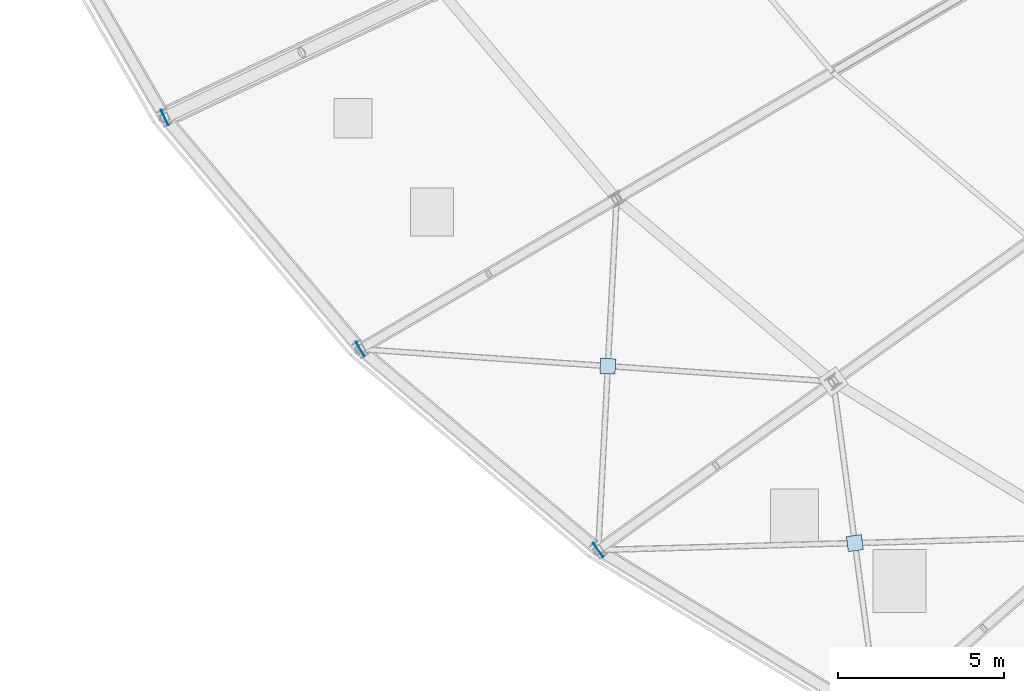
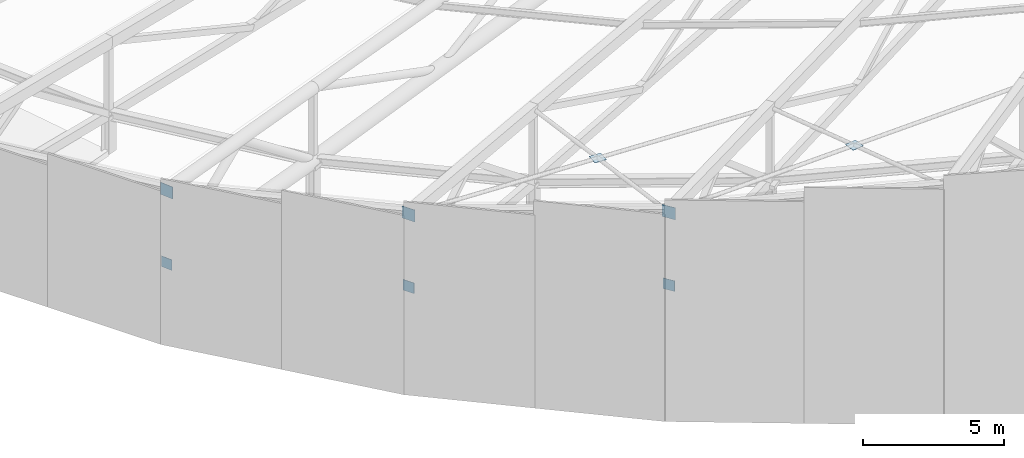
# One storey, part 107 of 143: 8 plates.
"""IFC4 building model written with IfcOpenShell, lengths in metres."""

import ifcopenshell
import ifcopenshell.guid

model = None  # the IFC model being written
_history = None  # IfcOwnerHistory: only IFC2X3 demands one
_inside = {}  # id of a spatial element -> (the spatial element, [elements in it])
_under = {}  # id of a project, library or spatial element -> (it, [spatial elements below it])
_declared = {}  # id of a project -> (the project, [libraries it declares])
_typed = {}  # id of a type object -> (the type object, [elements of that type])
_made_of = {}  # id of a material, layer set ... -> (it, [elements and type objects made of it])


def new_model(schema):
    """Start an empty IFC model of exactly this schema.

    Asked for "IFC4X3", IfcOpenShell would pick the latest addendum, in which some entities
    have other attributes; the version numbers below select the first issue.
    IFC2X3 requires an IfcOwnerHistory on every rooted entity: one is made here for all.
    """
    global model, _history
    if schema == "IFC4X3":
        model = ifcopenshell.file(schema_version=(4, 3, 0, 0))
    else:
        model = ifcopenshell.file(schema=schema)
    _inside.clear()
    _under.clear()
    _declared.clear()
    _typed.clear()
    _made_of.clear()
    _history = None
    if model.schema == "IFC2X3":
        org = make("IfcOrganization", Name="unknown")
        user = make(
            "IfcPersonAndOrganization",
            ThePerson=make("IfcPerson", FamilyName="unknown"),
            TheOrganization=org,
        )
        app = make(
            "IfcApplication",
            ApplicationDeveloper=org,
            Version="unknown",
            ApplicationFullName="unknown",
            ApplicationIdentifier="unknown",
        )
        _history = make(
            "IfcOwnerHistory",
            OwningUser=user,
            OwningApplication=app,
            ChangeAction="ADDED",
            CreationDate=0,
        )
    return model


def make(cls, **values):
    """One entity of the class cls with the attributes given. An attribute that is None is left unset."""
    return model.create_entity(
        cls, **{name: value for name, value in values.items() if value is not None}
    )


def rooted(cls, **values):
    """An entity with a GlobalId (a new one), such as an element, a storey or a relation."""
    return make(cls, GlobalId=ifcopenshell.guid.new(), OwnerHistory=_history, **values)


def si_unit(unit_type, name, prefix=None):
    """IfcSIUnit, for example si_unit("LENGTHUNIT", "METRE", prefix="MILLI")."""
    return make("IfcSIUnit", UnitType=unit_type, Prefix=prefix, Name=name)


def assignment(units):
    """IfcUnitAssignment: the units of a project."""
    return None if units is None else make("IfcUnitAssignment", Units=units)


def point(xyz):
    """IfcCartesianPoint."""
    return None if xyz is None else make("IfcCartesianPoint", Coordinates=xyz)


def direction(xyz):
    """IfcDirection."""
    return None if xyz is None else make("IfcDirection", DirectionRatios=xyz)


def frame(location, z_axis=None, x_axis=None):
    """IfcAxis2Placement3D, a coordinate frame: its origin and axes. An axis left out is left unset."""
    return make(
        "IfcAxis2Placement3D",
        Location=point(location),
        Axis=direction(z_axis),
        RefDirection=direction(x_axis),
    )


def frame_2d(location, x_axis=None):
    """IfcAxis2Placement2D, a coordinate frame in the plane: its origin and x axis."""
    return make(
        "IfcAxis2Placement2D", Location=point(location), RefDirection=direction(x_axis)
    )


def origin():
    """The frame at (0, 0, 0) with its axes left unset."""
    return frame((0.0, 0.0, 0.0))


def origin_2d():
    """The frame at (0, 0) in the plane with its x axis left unset."""
    return frame_2d((0.0, 0.0))


def place(relative_to, where):
    """IfcLocalPlacement: puts the frame where relative to a parent placement (None: the world)."""
    return make(
        "IfcLocalPlacement", PlacementRelTo=relative_to, RelativePlacement=where
    )


def context(
    kind, dimensions, precision=None, world=None, true_north=None, identifier=None
):
    """IfcGeometricRepresentationContext, for example the 3D "Model" context."""
    return make(
        "IfcGeometricRepresentationContext",
        ContextIdentifier=identifier,
        ContextType=kind,
        CoordinateSpaceDimension=dimensions,
        Precision=precision,
        WorldCoordinateSystem=world,
        TrueNorth=true_north,
    )


def subcontext(parent, identifier, kind, view, scale=None):
    """IfcGeometricRepresentationSubContext, for example "Body" below "Model"."""
    return make(
        "IfcGeometricRepresentationSubContext",
        ContextIdentifier=identifier,
        ContextType=kind,
        ParentContext=parent,
        TargetScale=scale,
        TargetView=view,
    )


def project(units=None, contexts=None):
    """IfcProject with its units and contexts."""
    return rooted(
        "IfcProject",
        Name="project",
        RepresentationContexts=contexts,
        UnitsInContext=assignment(units),
    )


def spatial(cls, under=None, at=None, **own):
    """A site, building, storey or space (cls), placed at a placement, below another one or the project."""
    s = rooted(cls, ObjectPlacement=at, **own)
    if under is not None:
        _under.setdefault(under.id(), (under, []))[1].append(s)
    return s


def profile(cls, at=None, kind="AREA", **sizes):
    """A parametric profile (cls). Its sizes go by their IFC names, for example OverallWidth=200.0."""
    return make(cls, ProfileType=kind, Position=at, **sizes)


def rectangle(**sizes):
    """IfcRectangleProfileDef."""
    return profile("IfcRectangleProfileDef", **sizes)


def extrude(swept, where, along, depth):
    """IfcExtrudedAreaSolid: the profile swept, set in the frame where, extruded along a direction by depth."""
    return make(
        "IfcExtrudedAreaSolid",
        SweptArea=swept,
        Position=where,
        ExtrudedDirection=direction(along),
        Depth=depth,
    )


def shape(context_of_items, identifier, shape_type, items):
    """IfcShapeRepresentation: the items that make up one representation, for example the "Body"."""
    return make(
        "IfcShapeRepresentation",
        ContextOfItems=context_of_items,
        RepresentationIdentifier=identifier,
        RepresentationType=shape_type,
        Items=items,
    )


def material(Name=None, Category=None):
    """IfcMaterial."""
    return make("IfcMaterial", Name=Name, Category=Category)


def layer(
    of_material, thickness, ventilated=None, Name=None, Category=None, Priority=None
):
    """IfcMaterialLayer: one layer of a wall or slab, of a material (None: an air gap)."""
    return make(
        "IfcMaterialLayer",
        Material=of_material,
        LayerThickness=thickness,
        IsVentilated=ventilated,
        Name=Name,
        Category=Category,
        Priority=Priority,
    )


def layer_set(layers, Name=None):
    """IfcMaterialLayerSet."""
    return make("IfcMaterialLayerSet", MaterialLayers=layers, LayerSetName=Name)


def made_of(thing, what):
    """Note that an element or type object is made of a material, layer set ...; save() writes the relation."""
    if what is not None:
        _made_of.setdefault(what.id(), (what, []))[1].append(thing)
    return thing


def type_object(cls, material=None, **own):
    """A type object (cls), such as IfcWallType, which elements share."""
    return made_of(rooted(cls, **own), material)


def element(
    cls,
    number,
    at=None,
    inside=None,
    cuts=None,
    type_object=None,
    material=None,
    context=None,
    identifier="Body",
    shape_type=None,
    held_by="IfcProductDefinitionShape",
    body=None,
    shapes=None,
    **own,
):
    """One element of the class cls, such as IfcWall. Its Tag is "e" and its number.

    at: its placement. inside: the storey or other place that contains it. cuts: it is an
    opening in that element (IfcRelVoidsElement). A single representation is given by context,
    identifier, shape_type and body (its items); several are given by shapes. held_by: the class
    of the entity that holds the representations. save() writes the other relations.
    """
    e = rooted(cls, Tag="e%d" % number, ObjectPlacement=at, **own)
    if body is not None:
        shapes = [shape(context, identifier, shape_type, body)]
    if shapes is not None:
        e.Representation = make(held_by, Representations=shapes)
    if inside is not None:
        _inside.setdefault(inside.id(), (inside, []))[1].append(e)
    if cuts is not None:
        rooted(
            "IfcRelVoidsElement", RelatingBuildingElement=cuts, RelatedOpeningElement=e
        )
    if type_object is not None:
        _typed.setdefault(type_object.id(), (type_object, []))[1].append(e)
    return made_of(e, material)


def aggregate(whole, parts):
    """IfcRelAggregates: a whole, such as a stair, and the parts it consists of."""
    return rooted("IfcRelAggregates", RelatingObject=whole, RelatedObjects=parts)


def save(model, path):
    """Write the relations noted so far, then the file.

    IfcRelAggregates (storeys below a building ...), IfcRelContainedInSpatialStructure (elements
    in a storey), IfcRelDefinesByType, IfcRelAssociatesMaterial and IfcRelDeclares: one each for
    every whole, place, type object, material and project.
    """
    for whole, parts in _under.values():
        aggregate(whole, parts)
    for where, things in _inside.values():
        rooted(
            "IfcRelContainedInSpatialStructure",
            RelatedElements=things,
            RelatingStructure=where,
        )
    for kind, things in _typed.values():
        rooted("IfcRelDefinesByType", RelatedObjects=things, RelatingType=kind)
    for what, things in _made_of.values():
        rooted("IfcRelAssociatesMaterial", RelatedObjects=things, RelatingMaterial=what)
    for by, libraries in _declared.values():
        rooted("IfcRelDeclares", RelatingContext=by, RelatedDefinitions=libraries)
    model.write(path)


model = new_model("IFC4")

# Units and contexts
model_context = context("Model", 3, precision=1e-05, world=origin(), true_north=direction((0.0, 1.0)))
body_context = subcontext(model_context, "Body", "Model", "MODEL_VIEW")
ifc_project = project(units=[si_unit("LENGTHUNIT", "METRE"), si_unit("AREAUNIT", "SQUARE_METRE"), si_unit("VOLUMEUNIT", "CUBIC_METRE"), si_unit("PLANEANGLEUNIT", "RADIAN"), si_unit("MASSUNIT", "GRAM", prefix="KILO")], contexts=[model_context])

# Site, building, storey
site_placement = place(None, origin())
site = spatial("IfcSite", under=ifc_project, at=site_placement, CompositionType="ELEMENT")
building_placement = place(site_placement, origin())
building = spatial("IfcBuilding", under=site, at=building_placement, Name="Mphavela Belvedere Stadium", CompositionType="ELEMENT")
storey_placement = place(building_placement, frame((0.0, 0.0, 28.800048828125)))
storey = spatial("IfcBuildingStorey", under=building, at=storey_placement, Name="RF", CompositionType="ELEMENT", Elevation=28.800048828125)

# Plates
ifc_material_1 = material(Name="Steel S355", Category="steel")
ifc_layer_1 = layer(ifc_material_1, 0.01806640625)
ifc_layer_set_1 = layer_set([ifc_layer_1], Name="Steel S355")
plate_type_1 = type_object("IfcPlateType", Name="PLT-CAP-TRUSS-BC", PredefinedType="USERDEFINED", material=ifc_layer_set_1)
for number, where, z_axis, x_axis, name in (
    (1, (22.757568359375, 43.33837890625, 3.0810546875), (0.0, 0.0, 1.0), (-0.903858661687, -0.4278311813, 0.0), "Roof truss RT-29 hollow-end cap plate out_bc"),
    (2, (28.66162109375, 36.346435546875, 4.23876953125), (0.0, 0.0, 1.0), (-0.862513669207, -0.506033764121, 0.0), "Roof truss RT-30 hollow-end cap plate out_bc"),
):
    element("IfcPlate", number, at=place(storey_placement, frame(where, z_axis=z_axis, x_axis=x_axis)), inside=storey, type_object=plate_type_1, Name=name, ObjectType="GUSSET_PLATE", PredefinedType="USERDEFINED", context=body_context, shape_type="SweptSolid", body=[
        extrude(rectangle(XDim=0.01806640625, YDim=0.4599609375, at=origin_2d()), origin(), (0.0, 0.0, 1.0), 0.4599609375),
    ])
plate_1_placement = place(storey_placement, frame((36.135009765625, 35.83447265625, 7.731201171875), z_axis=(0.0, 0.0, 1.0), x_axis=(-0.052335956243, -0.998629534755, 0.0)))
element("IfcPlate", 3, at=plate_1_placement, inside=storey, type_object=plate_type_1, Name="Roof X-brace crossing gusset node plate 30", ObjectType="GUSSET_PLATE", PredefinedType="USERDEFINED", context=body_context, shape_type="SweptSolid", body=[
    extrude(rectangle(XDim=0.4599609375, YDim=0.4599609375, at=origin_2d()), origin(), (0.0, 0.0, 1.0), 0.01806640625),
])
plate_2_placement = place(storey_placement, frame((35.844482421875, 30.285400390625, 5.48095703125), z_axis=(0.0, 0.0, 1.0), x_axis=(-0.812897512265, -0.582406760395, 0.0)))
element("IfcPlate", 4, at=plate_2_placement, inside=storey, type_object=plate_type_1, Name="Roof truss RT-31 hollow-end cap plate out_bc", ObjectType="GUSSET_PLATE", PredefinedType="USERDEFINED", context=body_context, shape_type="SweptSolid", body=[
    extrude(rectangle(XDim=0.01806640625, YDim=0.4599609375, at=origin_2d()), origin(), (0.0, 0.0, 1.0), 0.4599609375),
])
plate_3_placement = place(storey_placement, frame((43.589111328125, 30.49365234375, 8.91552734375), z_axis=(0.0, 0.0, 1.0), x_axis=(0.132256390257, -0.991215540252, 0.0)))
element("IfcPlate", 5, at=plate_3_placement, inside=storey, type_object=plate_type_1, Name="Roof X-brace crossing gusset node plate 31", ObjectType="GUSSET_PLATE", PredefinedType="USERDEFINED", context=body_context, shape_type="SweptSolid", body=[
    extrude(rectangle(XDim=0.4599609375, YDim=0.4599609375, at=origin_2d()), origin(), (0.0, 0.0, 1.0), 0.01806640625),
])
ifc_material_2 = material(Name="Steel S355", Category="steel")
ifc_layer_2 = layer(ifc_material_2, 0.02001953125)
ifc_layer_set_2 = layer_set([ifc_layer_2], Name="Steel S355")
plate_type_2 = type_object("IfcPlateType", Name="PLT-CAP-TRUSS-TC", PredefinedType="USERDEFINED", material=ifc_layer_set_2)
for number, where, z_axis, x_axis, name in (
    (6, (22.757568359375, 43.33837890625, 6.200927734375), (0.0, 0.0, 1.0), (-0.903858661687, -0.4278311813, 0.0), "Roof truss RT-29 hollow-end cap plate out_tc"),
    (7, (28.66162109375, 36.346435546875, 7.358642578125), (0.0, 0.0, 1.0), (-0.862513669207, -0.506033764121, 0.0), "Roof truss RT-30 hollow-end cap plate out_tc"),
    (8, (35.844482421875, 30.285400390625, 8.600830078125), (0.0, 0.0, 1.0), (-0.812897512265, -0.582406760395, 0.0), "Roof truss RT-31 hollow-end cap plate out_tc"),
):
    element("IfcPlate", number, at=place(storey_placement, frame(where, z_axis=z_axis, x_axis=x_axis)), inside=storey, type_object=plate_type_2, Name=name, ObjectType="GUSSET_PLATE", PredefinedType="USERDEFINED", context=body_context, shape_type="SweptSolid", body=[
        extrude(rectangle(XDim=0.02001953125, YDim=0.52001953125, at=origin_2d()), origin(), (0.0, 0.0, 1.0), 0.52001953125),
    ])

save(model, "model.ifc")
